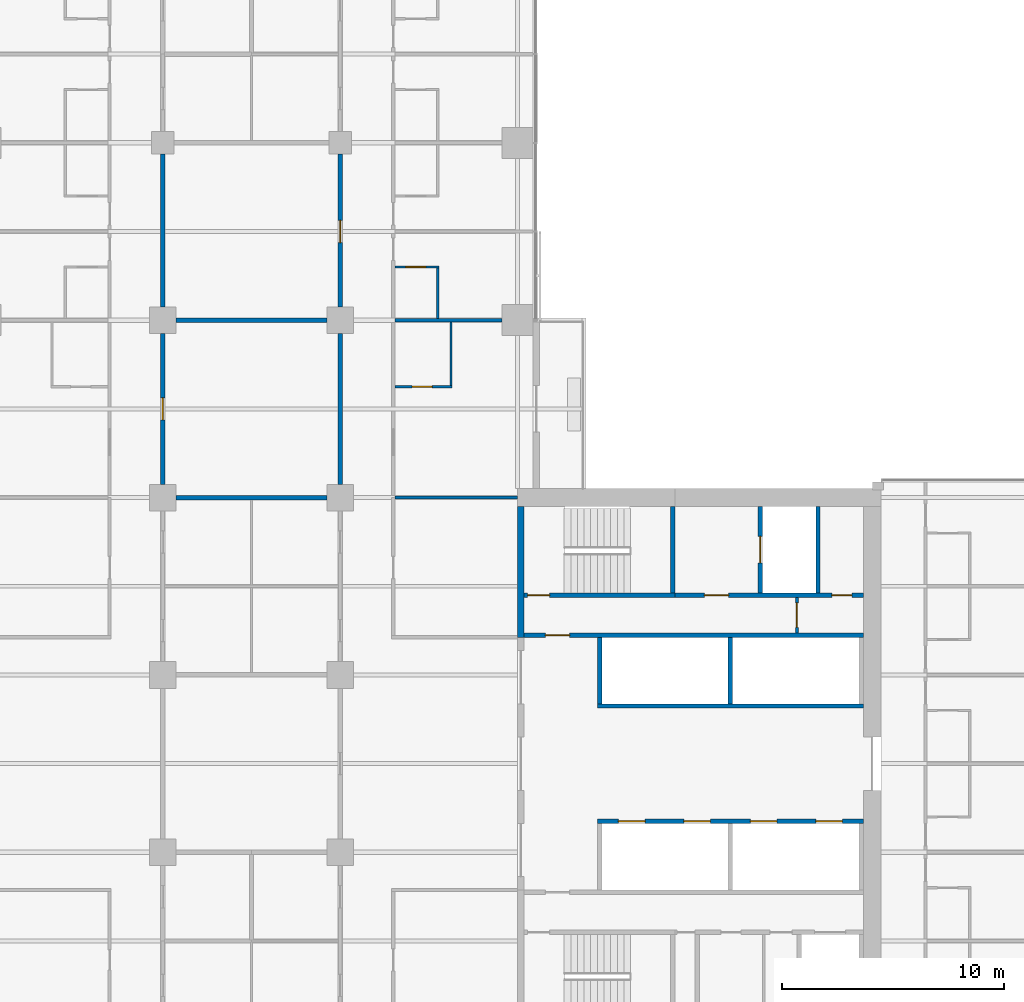
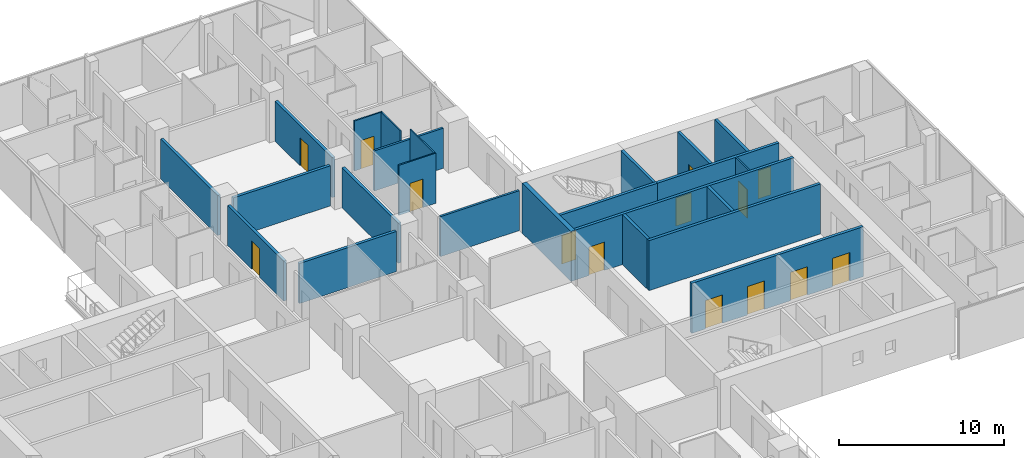
# One storey, part 21 of 29: 24 walls, 14 doors, 14 openings.
"""IFC4 building model written with IfcOpenShell, lengths in metres."""

from ifc_helpers import new_model, si_unit, direction, frame, frame_2d, origin, place, context, subcontext, project, spatial, rectangle, extrude, material, layer, layer_set, type_object, element, fill, save


model = new_model("IFC4")

# Units and contexts
model_context = context("Model", 3, precision=1e-05, world=origin(), true_north=direction((0.0, 1.0)))
body_context = subcontext(model_context, "Body", "Model", "MODEL_VIEW")
ifc_project = project(units=[si_unit("LENGTHUNIT", "METRE"), si_unit("AREAUNIT", "SQUARE_METRE"), si_unit("VOLUMEUNIT", "CUBIC_METRE"), si_unit("PLANEANGLEUNIT", "RADIAN"), si_unit("MASSUNIT", "GRAM", prefix="KILO")], contexts=[model_context])

# Site, building, storey
site_placement = place(None, origin())
site = spatial("IfcSite", under=ifc_project, at=site_placement, CompositionType="ELEMENT")
building_placement = place(site_placement, origin())
building = spatial("IfcBuilding", under=site, at=building_placement, Name="Crosswind Convention Tower", CompositionType="ELEMENT")
storey_placement = place(building_placement, frame((0.0, 0.0, 57.199951171875)))
storey = spatial("IfcBuildingStorey", under=building, at=storey_placement, Name="L08", CompositionType="ELEMENT", Elevation=57.199951171875)

# Walls
ifc_material_1 = material(Name="Concrete C50/60", Category="concrete")
ifc_layer_1 = layer(ifc_material_1, 0.300048828125)
ifc_layer_set_1 = layer_set([ifc_layer_1], Name="Concrete C50/60")
wall_type_1 = type_object("IfcWallType", Name="Concrete inner core wall 300", PredefinedType="SHEAR", material=ifc_layer_set_1)
wall_1_placement = place(storey_placement, frame((137.14990234375, 105.699951171875, 0.0), z_axis=(0.0, 0.0, 1.0), x_axis=(0.0, 1.0, 0.0)))
element("IfcWall", 1, at=wall_1_placement, inside=storey, type_object=wall_type_1, Name="Wall EP E L08", PredefinedType="SHEAR", context=body_context, shape_type="SweptSolid", body=[
    extrude(rectangle(XDim=5.900146484375, YDim=0.300048828125, at=frame_2d((2.9501953125, 0.0))), origin(), (0.0, 0.0, 1.0), 3.699951171875),
])
ifc_layer_2 = layer(ifc_material_1, 0.199951171875)
ifc_layer_set_2 = layer_set([ifc_layer_2], Name="Concrete C50/60")
wall_type_2 = type_object("IfcWallType", Name="Concrete shaft and stair wall 200", PredefinedType="SHEAR", material=ifc_layer_set_2)
for number, where, z_axis, x_axis, name in (
    (2, (140.699951171875, 102.699951171875, 0.0), (0.0, 0.0, 1.0), (0.0, 1.0, 0.0), "Wall RPEND E L08"),
    (3, (146.60009765625, 102.699951171875, 0.0), (0.0, 0.0, 1.0), (0.0, 1.0, 0.0), "Wall RPSEP E L08"),
):
    element("IfcWall", number, at=place(storey_placement, frame(where, z_axis=z_axis, x_axis=x_axis)), inside=storey, type_object=wall_type_2, Name=name, PredefinedType="SHEAR", context=body_context, shape_type="SweptSolid", body=[
        extrude(rectangle(XDim=3.0, YDim=0.199951171875, at=frame_2d((1.5, 0.0))), origin(), (0.0, 0.0, 1.0), 3.699951171875),
    ])
wall_2_placement = place(storey_placement, frame((140.60009765625, 102.60009765625, 0.0), z_axis=(0.0, 0.0, 1.0), x_axis=(1.0, 0.0, 0.0)))
element("IfcWall", 4, at=wall_2_placement, inside=storey, type_object=wall_type_2, Name="Wall RPFRONT E L08", PredefinedType="SHEAR", context=body_context, shape_type="SweptSolid", body=[
    extrude(rectangle(XDim=12.0, YDim=0.199951171875, at=frame_2d((6.0, 0.0))), origin(), (0.0, 0.0, 1.0), 3.699951171875),
])

# Wall, openings, doors
wall_3_placement = place(storey_placement, frame((140.60009765625, 97.39990234375, 0.0), z_axis=(0.0, 0.0, 1.0), x_axis=(1.0, 0.0, 0.0)))
wall_3 = element("IfcWall", 5, at=wall_3_placement, inside=storey, type_object=wall_type_2, Name="Wall RMFRONT E L08", PredefinedType="SHEAR", context=body_context, shape_type="SweptSolid", body=[
    extrude(rectangle(XDim=12.0, YDim=0.199951171875, at=frame_2d((6.0, 0.0))), origin(), (0.0, 0.0, 1.0), 3.699951171875),
])
opening_1_placement = place(wall_3_placement, frame((0.949951171875, 0.0, 0.0)))
opening_1 = element("IfcOpeningElement", 6, at=opening_1_placement, cuts=wall_3, Name="Opening LD1", PredefinedType="OPENING", context=body_context, shape_type="SweptSolid", body=[
    extrude(rectangle(XDim=1.199951171875, YDim=2.10009765625, at=frame_2d((0.60009765625, 1.050048828125))), frame((0.0, 0.10986328125, 0.0), z_axis=(0.0, -1.0, 0.0), x_axis=(1.0, 0.0, 0.0)), (0.0, 0.0, 1.0), 0.219970703125),
])
opening_2_placement = place(wall_3_placement, frame((3.89990234375, 0.0, 0.0)))
opening_2 = element("IfcOpeningElement", 7, at=opening_2_placement, cuts=wall_3, Name="Opening LD1", PredefinedType="OPENING", context=body_context, shape_type="SweptSolid", body=[
    extrude(rectangle(XDim=1.199951171875, YDim=2.10009765625, at=frame_2d((0.60009765625, 1.050048828125))), frame((0.0, 0.10986328125, 0.0), z_axis=(0.0, -1.0, 0.0), x_axis=(1.0, 0.0, 0.0)), (0.0, 0.0, 1.0), 0.219970703125),
])
opening_3_placement = place(wall_3_placement, frame((6.89990234375, 0.0, 0.0)))
opening_3 = element("IfcOpeningElement", 8, at=opening_3_placement, cuts=wall_3, Name="Opening LD1", PredefinedType="OPENING", context=body_context, shape_type="SweptSolid", body=[
    extrude(rectangle(XDim=1.199951171875, YDim=2.10009765625, at=frame_2d((0.60009765625, 1.050048828125))), frame((0.0, 0.10986328125, 0.0), z_axis=(0.0, -1.0, 0.0), x_axis=(1.0, 0.0, 0.0)), (0.0, 0.0, 1.0), 0.219970703125),
])
opening_4_placement = place(wall_3_placement, frame((9.85009765625, 0.0, 0.0)))
opening_4 = element("IfcOpeningElement", 9, at=opening_4_placement, cuts=wall_3, Name="Opening LD1", PredefinedType="OPENING", context=body_context, shape_type="SweptSolid", body=[
    extrude(rectangle(XDim=1.199951171875, YDim=2.10009765625, at=frame_2d((0.60009765625, 1.050048828125))), frame((0.0, 0.10986328125, 0.0), z_axis=(0.0, -1.0, 0.0), x_axis=(1.0, 0.0, 0.0)), (0.0, 0.0, 1.0), 0.219970703125),
])
ifc_material_2 = material(Name="Stainless steel", Category="steel")
door_type_1 = type_object("IfcDoorType", Name="Lift landing door 1200x2100", OperationType="DOUBLE_DOOR_SLIDING", PredefinedType="DOOR", material=ifc_material_2)
door_1_placement = place(opening_1_placement, origin())
door_1 = element("IfcDoor", 10, at=door_1_placement, inside=storey, type_object=door_type_1, Name="Landing door H1 L08", ObjectType="LD1", OperationType="DOUBLE_DOOR_SLIDING", OverallHeight=2.10009765625, OverallWidth=1.199951171875, PredefinedType="DOOR", context=body_context, shape_type="SweptSolid", body=[
    extrude(rectangle(XDim=1.199951171875, YDim=2.10009765625, at=frame_2d((0.60009765625, 1.050048828125))), frame((0.0, 0.02490234375, 0.0), z_axis=(0.0, -1.0, 0.0), x_axis=(1.0, 0.0, 0.0)), (0.0, 0.0, 1.0), 0.050048828125),
])
fill(opening_1, door_1)
door_2_placement = place(opening_2_placement, origin())
door_2 = element("IfcDoor", 11, at=door_2_placement, inside=storey, type_object=door_type_1, Name="Landing door H2 L08", ObjectType="LD1", OperationType="DOUBLE_DOOR_SLIDING", OverallHeight=2.10009765625, OverallWidth=1.199951171875, PredefinedType="DOOR", context=body_context, shape_type="SweptSolid", body=[
    extrude(rectangle(XDim=1.199951171875, YDim=2.10009765625, at=frame_2d((0.60009765625, 1.050048828125))), frame((0.0, 0.02490234375, 0.0), z_axis=(0.0, -1.0, 0.0), x_axis=(1.0, 0.0, 0.0)), (0.0, 0.0, 1.0), 0.050048828125),
])
fill(opening_2, door_2)
door_3_placement = place(opening_3_placement, origin())
door_3 = element("IfcDoor", 12, at=door_3_placement, inside=storey, type_object=door_type_1, Name="Landing door H3 L08", ObjectType="LD1", OperationType="DOUBLE_DOOR_SLIDING", OverallHeight=2.10009765625, OverallWidth=1.199951171875, PredefinedType="DOOR", context=body_context, shape_type="SweptSolid", body=[
    extrude(rectangle(XDim=1.199951171875, YDim=2.10009765625, at=frame_2d((0.60009765625, 1.050048828125))), frame((0.0, 0.02490234375, 0.0), z_axis=(0.0, -1.0, 0.0), x_axis=(1.0, 0.0, 0.0)), (0.0, 0.0, 1.0), 0.050048828125),
])
fill(opening_3, door_3)
door_4_placement = place(opening_4_placement, origin())
door_4 = element("IfcDoor", 13, at=door_4_placement, inside=storey, type_object=door_type_1, Name="Landing door H4 L08", ObjectType="LD1", OperationType="DOUBLE_DOOR_SLIDING", OverallHeight=2.10009765625, OverallWidth=1.199951171875, PredefinedType="DOOR", context=body_context, shape_type="SweptSolid", body=[
    extrude(rectangle(XDim=1.199951171875, YDim=2.10009765625, at=frame_2d((0.60009765625, 1.050048828125))), frame((0.0, 0.02490234375, 0.0), z_axis=(0.0, -1.0, 0.0), x_axis=(1.0, 0.0, 0.0)), (0.0, 0.0, 1.0), 0.050048828125),
])
fill(opening_4, door_4)

# Wall, opening, door
wall_4_placement = place(storey_placement, frame((137.300048828125, 105.800048828125, 0.0), z_axis=(0.0, 0.0, 1.0), x_axis=(1.0, 0.0, 0.0)))
wall_4 = element("IfcWall", 14, at=wall_4_placement, inside=storey, type_object=wall_type_2, Name="Wall HP E L08", PredefinedType="SHEAR", context=body_context, shape_type="SweptSolid", body=[
    extrude(rectangle(XDim=15.300048828125, YDim=0.199951171875, at=frame_2d((7.64990234375, 0.0))), origin(), (0.0, 0.0, 1.0), 3.699951171875),
])
opening_5_placement = place(wall_4_placement, frame((0.949951171875, 0.0, 0.0)))
opening_5 = element("IfcOpeningElement", 15, at=opening_5_placement, cuts=wall_4, Name="Opening D104", PredefinedType="OPENING", context=body_context, shape_type="SweptSolid", body=[
    extrude(rectangle(XDim=1.10009765625, YDim=2.10009765625, at=frame_2d((0.550048828125, 1.050048828125))), frame((0.0, 0.10986328125, 0.0), z_axis=(0.0, -1.0, 0.0), x_axis=(1.0, 0.0, 0.0)), (0.0, 0.0, 1.0), 0.219970703125),
])
ifc_material_3 = material(Name="Steel fire door", Category="steel")
door_type_2 = type_object("IfcDoorType", Name="Fire-rated single door 1100x2100", OperationType="NOTDEFINED", PredefinedType="DOOR", material=ifc_material_3)
door_5_placement = place(opening_5_placement, origin())
door_5 = element("IfcDoor", 16, at=door_5_placement, inside=storey, type_object=door_type_2, Name="Corridor door L08", ObjectType="D104", OperationType="SINGLE_SWING_LEFT", OverallHeight=2.10009765625, OverallWidth=1.10009765625, PredefinedType="DOOR", context=body_context, shape_type="SweptSolid", body=[
    extrude(rectangle(XDim=1.10009765625, YDim=2.10009765625, at=frame_2d((0.550048828125, 1.050048828125))), frame((0.0, 0.02490234375, 0.0), z_axis=(0.0, -1.0, 0.0), x_axis=(1.0, 0.0, 0.0)), (0.0, 0.0, 1.0), 0.050048828125),
])
fill(opening_5, door_5)

# Wall
wall_5_placement = place(storey_placement, frame((144.0, 107.699951171875, 0.0), z_axis=(0.0, 0.0, 1.0), x_axis=(0.0, 1.0, 0.0)))
element("IfcWall", 17, at=wall_5_placement, inside=storey, type_object=wall_type_2, Name="Wall PSE E L08", PredefinedType="SHEAR", context=body_context, shape_type="SweptSolid", body=[
    extrude(rectangle(XDim=3.900146484375, YDim=0.199951171875, at=frame_2d((1.9501953125, 0.0))), origin(), (0.0, 0.0, 1.0), 3.699951171875),
])

# Wall, opening, door
wall_6_placement = place(storey_placement, frame((147.949951171875, 107.699951171875, 0.0), z_axis=(0.0, 0.0, 1.0), x_axis=(0.0, 1.0, 0.0)))
wall_6 = element("IfcWall", 18, at=wall_6_placement, inside=storey, type_object=wall_type_2, Name="Wall PFLW E L08", PredefinedType="SHEAR", context=body_context, shape_type="SweptSolid", body=[
    extrude(rectangle(XDim=3.900146484375, YDim=0.199951171875, at=frame_2d((1.9501953125, 0.0))), origin(), (0.0, 0.0, 1.0), 3.699951171875),
])
opening_6_placement = place(wall_6_placement, frame((1.35009765625, 0.0, 0.0)))
opening_6 = element("IfcOpeningElement", 19, at=opening_6_placement, cuts=wall_6, Name="Opening LD1", PredefinedType="OPENING", context=body_context, shape_type="SweptSolid", body=[
    extrude(rectangle(XDim=1.199951171875, YDim=2.10009765625, at=frame_2d((0.60009765625, 1.050048828125))), frame((0.0, 0.10986328125, 0.0), z_axis=(0.0, -1.0, 0.0), x_axis=(1.0, 0.0, 0.0)), (0.0, 0.0, 1.0), 0.219970703125),
])
door_6_placement = place(opening_6_placement, origin())
door_6 = element("IfcDoor", 20, at=door_6_placement, inside=storey, type_object=door_type_1, Name="Landing door FF1 L08", ObjectType="LD1", OperationType="DOUBLE_DOOR_SLIDING", OverallHeight=2.10009765625, OverallWidth=1.199951171875, PredefinedType="DOOR", context=body_context, shape_type="SweptSolid", body=[
    extrude(rectangle(XDim=1.199951171875, YDim=2.10009765625, at=frame_2d((0.60009765625, 1.050048828125))), frame((0.0, 0.02490234375, 0.0), z_axis=(0.0, -1.0, 0.0), x_axis=(1.0, 0.0, 0.0)), (0.0, 0.0, 1.0), 0.050048828125),
])
fill(opening_6, door_6)

# Wall
wall_7_placement = place(storey_placement, frame((150.550048828125, 107.699951171875, 0.0), z_axis=(0.0, 0.0, 1.0), x_axis=(0.0, 1.0, 0.0)))
element("IfcWall", 21, at=wall_7_placement, inside=storey, type_object=wall_type_2, Name="Wall PFSE E L08", PredefinedType="SHEAR", context=body_context, shape_type="SweptSolid", body=[
    extrude(rectangle(XDim=3.900146484375, YDim=0.199951171875, at=frame_2d((1.9501953125, 0.0))), origin(), (0.0, 0.0, 1.0), 3.699951171875),
])

# Wall, opening, door
wall_8_placement = place(storey_placement, frame((137.300048828125, 107.60009765625, 0.0), z_axis=(0.0, 0.0, 1.0), x_axis=(1.0, 0.0, 0.0)))
wall_8 = element("IfcWall", 22, at=wall_8_placement, inside=storey, type_object=wall_type_2, Name="Wall PCW E L08", PredefinedType="SHEAR", context=body_context, shape_type="SweptSolid", body=[
    extrude(rectangle(XDim=6.800048828125, YDim=0.199951171875, at=frame_2d((3.39990234375, 0.0))), origin(), (0.0, 0.0, 1.0), 3.699951171875),
])
opening_7_placement = place(wall_8_placement, frame((0.14990234375, 0.0, 0.0)))
opening_7 = element("IfcOpeningElement", 23, at=opening_7_placement, cuts=wall_8, Name="Opening D103", PredefinedType="OPENING", context=body_context, shape_type="SweptSolid", body=[
    extrude(rectangle(XDim=1.0, YDim=2.10009765625, at=frame_2d((0.5, 1.050048828125))), frame((0.0, 0.10986328125, 0.0), z_axis=(0.0, -1.0, 0.0), x_axis=(1.0, 0.0, 0.0)), (0.0, 0.0, 1.0), 0.219970703125),
])
door_type_3 = type_object("IfcDoorType", Name="Fire-rated single door 1000x2100", OperationType="NOTDEFINED", PredefinedType="DOOR", material=ifc_material_3)
door_7_placement = place(opening_7_placement, origin())
door_7 = element("IfcDoor", 24, at=door_7_placement, inside=storey, type_object=door_type_3, Name="Stair ST1 door L08", ObjectType="D103", OperationType="SINGLE_SWING_LEFT", OverallHeight=2.10009765625, OverallWidth=1.0, PredefinedType="DOOR", context=body_context, shape_type="SweptSolid", body=[
    extrude(rectangle(XDim=1.0, YDim=2.10009765625, at=frame_2d((0.5, 1.050048828125))), frame((0.0, 0.02490234375, 0.0), z_axis=(0.0, -1.0, 0.0), x_axis=(1.0, 0.0, 0.0)), (0.0, 0.0, 1.0), 0.050048828125),
])
fill(opening_7, door_7)

# Wall, openings, doors
wall_9_placement = place(storey_placement, frame((144.10009765625, 107.60009765625, 0.0), z_axis=(0.0, 0.0, 1.0), x_axis=(1.0, 0.0, 0.0)))
wall_9 = element("IfcWall", 25, at=wall_9_placement, inside=storey, type_object=wall_type_2, Name="Wall PCX E L08", PredefinedType="SHEAR", context=body_context, shape_type="SweptSolid", body=[
    extrude(rectangle(XDim=8.5, YDim=0.199951171875, at=frame_2d((4.25, 0.0))), origin(), (0.0, 0.0, 1.0), 3.699951171875),
])
opening_8_placement = place(wall_9_placement, frame((1.324951171875, 0.0, 0.0)))
opening_8 = element("IfcOpeningElement", 26, at=opening_8_placement, cuts=wall_9, Name="Opening D104", PredefinedType="OPENING", context=body_context, shape_type="SweptSolid", body=[
    extrude(rectangle(XDim=1.10009765625, YDim=2.10009765625, at=frame_2d((0.550048828125, 1.050048828125))), frame((0.0, 0.10986328125, 0.0), z_axis=(0.0, -1.0, 0.0), x_axis=(1.0, 0.0, 0.0)), (0.0, 0.0, 1.0), 0.219970703125),
])
opening_9_placement = place(wall_9_placement, frame((7.074951171875, 0.0, 0.0)))
opening_9 = element("IfcOpeningElement", 27, at=opening_9_placement, cuts=wall_9, Name="Opening D106", PredefinedType="OPENING", context=body_context, shape_type="SweptSolid", body=[
    extrude(rectangle(XDim=0.89990234375, YDim=2.10009765625, at=frame_2d((0.449951171875, 1.050048828125))), frame((0.0, 0.10986328125, 0.0), z_axis=(0.0, -1.0, 0.0), x_axis=(1.0, 0.0, 0.0)), (0.0, 0.0, 1.0), 0.219970703125),
])
door_8_placement = place(opening_8_placement, origin())
door_8 = element("IfcDoor", 28, at=door_8_placement, inside=storey, type_object=door_type_2, Name="Fire-fighting lobby FF1 door L08", ObjectType="D104", OperationType="SINGLE_SWING_RIGHT", OverallHeight=2.10009765625, OverallWidth=1.10009765625, PredefinedType="DOOR", context=body_context, shape_type="SweptSolid", body=[
    extrude(rectangle(XDim=1.10009765625, YDim=2.10009765625, at=frame_2d((0.550048828125, 1.050048828125))), frame((0.0, 0.02490234375, 0.0), z_axis=(0.0, -1.0, 0.0), x_axis=(1.0, 0.0, 0.0)), (0.0, 0.0, 1.0), 0.050048828125),
])
fill(opening_8, door_8)
ifc_material_4 = material(Name="Timber door", Category="wood")
door_type_4 = type_object("IfcDoorType", Name="Single leaf door 900x2100", OperationType="NOTDEFINED", PredefinedType="DOOR", material=ifc_material_4)
door_9_placement = place(opening_9_placement, origin())
door_9 = element("IfcDoor", 29, at=door_9_placement, inside=storey, type_object=door_type_4, Name="Door to telecoms room L08", ObjectType="D106", OperationType="SINGLE_SWING_RIGHT", OverallHeight=2.10009765625, OverallWidth=0.89990234375, PredefinedType="DOOR", context=body_context, shape_type="SweptSolid", body=[
    extrude(rectangle(XDim=0.89990234375, YDim=2.10009765625, at=frame_2d((0.449951171875, 1.050048828125))), frame((0.0, 0.02490234375, 0.0), z_axis=(0.0, -1.0, 0.0), x_axis=(1.0, 0.0, 0.0)), (0.0, 0.0, 1.0), 0.050048828125),
])
fill(opening_9, door_9)

# Wall, opening, door
ifc_material_5 = material(Name="Gypsum plasterboard partition", Category="gypsum")
ifc_layer_3 = layer(ifc_material_5, 0.125)
ifc_layer_set_3 = layer_set([ifc_layer_3], Name="Drywall partition wall 125")
wall_type_3 = type_object("IfcWallType", Name="Drywall partition wall 125", PredefinedType="PARTITIONING", material=ifc_layer_set_3)
wall_10_placement = place(storey_placement, frame((149.60009765625, 105.89990234375, 0.0), z_axis=(0.0, 0.0, 1.0), x_axis=(0.0, 1.0, 0.0)))
wall_10 = element("IfcWall", 30, at=wall_10_placement, inside=storey, type_object=wall_type_3, Name="Wall PXC1 E L08", PredefinedType="PARTITIONING", context=body_context, shape_type="SweptSolid", body=[
    extrude(rectangle(XDim=1.60009765625, YDim=0.125, at=frame_2d((0.800048828125, 0.0))), origin(), (0.0, 0.0, 1.0), 3.699951171875),
])
opening_10_placement = place(wall_10_placement, frame((0.25, 0.0, 0.0)))
opening_10 = element("IfcOpeningElement", 31, at=opening_10_placement, cuts=wall_10, Name="Opening D104", PredefinedType="OPENING", context=body_context, shape_type="SweptSolid", body=[
    extrude(rectangle(XDim=1.10009765625, YDim=2.10009765625, at=frame_2d((0.550048828125, 1.050048828125))), frame((0.0, 0.072509765625, 0.0), z_axis=(0.0, -1.0, 0.0), x_axis=(1.0, 0.0, 0.0)), (0.0, 0.0, 1.0), 0.14501953125),
])
door_10_placement = place(opening_10_placement, origin())
door_10 = element("IfcDoor", 32, at=door_10_placement, inside=storey, type_object=door_type_2, Name="Corridor smoke door L08", ObjectType="D104", OperationType="SINGLE_SWING_RIGHT", OverallHeight=2.10009765625, OverallWidth=1.10009765625, PredefinedType="DOOR", context=body_context, shape_type="SweptSolid", body=[
    extrude(rectangle(XDim=1.10009765625, YDim=2.10009765625, at=frame_2d((0.550048828125, 1.050048828125))), frame((0.0, 0.02490234375, 0.0), z_axis=(0.0, -1.0, 0.0), x_axis=(1.0, 0.0, 0.0)), (0.0, 0.0, 1.0), 0.050048828125),
])
fill(opening_10, door_10)

# Walls
ifc_material_6 = material(Name="Acoustic plasterboard partition", Category="gypsum")
ifc_layer_4 = layer(ifc_material_6, 0.14990234375)
ifc_layer_set_4 = layer_set([ifc_layer_4], Name="GUEST ROOM WALL 150")
wall_type_4 = type_object("IfcWallType", Name="GUEST ROOM WALL 150", PredefinedType="PARTITIONING", material=ifc_layer_set_4)
wall_11_placement = place(storey_placement, frame((131.47509765625, 112.0, 0.0), z_axis=(0.0, 0.0, 1.0), x_axis=(1.0, 0.0, 0.0)))
element("IfcWall", 33, at=wall_11_placement, inside=storey, type_object=wall_type_4, Name="Guest Room Wall 63", PredefinedType="PARTITIONING", context=body_context, shape_type="SweptSolid", body=[
    extrude(rectangle(XDim=5.52490234375, YDim=0.14990234375, at=frame_2d((2.762451171875, 0.0))), origin(), (0.0, 0.0, 1.0), 2.95654296875),
])
wall_12_placement = place(storey_placement, frame((131.47509765625, 120.0, 0.0), z_axis=(0.0, 0.0, 1.0), x_axis=(1.0, 0.0, 0.0)))
element("IfcWall", 34, at=wall_12_placement, inside=storey, type_object=wall_type_4, Name="Guest Room Wall 68", PredefinedType="PARTITIONING", context=body_context, shape_type="SweptSolid", body=[
    extrude(rectangle(XDim=4.824951171875, YDim=0.14990234375, at=frame_2d((2.41259765625, 0.0))), origin(), (0.0, 0.0, 1.0), 2.9599609375),
])
ifc_material_7 = material(Name="Double plasterboard partition", Category="gypsum")
ifc_layer_5 = layer(ifc_material_7, 0.199951171875)
ifc_layer_set_5 = layer_set([ifc_layer_5], Name="HALL WALL 200")
wall_type_5 = type_object("IfcWallType", Name="HALL WALL 200", PredefinedType="PARTITIONING", material=ifc_layer_set_5)
for number, where, z_axis, x_axis, name in (
    (35, (121.60009765625, 112.0, 0.0), (0.0, 0.0, 1.0), (1.0, 0.0, 0.0), "Hall Wall 62"),
    (36, (121.60009765625, 120.0, 0.0), (0.0, 0.0, 1.0), (1.0, 0.0, 0.0), "Hall Wall 67"),
):
    element("IfcWall", number, at=place(storey_placement, frame(where, z_axis=z_axis, x_axis=x_axis)), inside=storey, type_object=wall_type_5, Name=name, PredefinedType="PARTITIONING", context=body_context, shape_type="SweptSolid", body=[
        extrude(rectangle(XDim=6.7998046875, YDim=0.199951171875, at=frame_2d((3.39990234375, 0.0))), origin(), (0.0, 0.0, 1.0), 2.9599609375),
    ])

# Wall, opening, door
wall_13_placement = place(storey_placement, frame((121.0, 112.60009765625, 0.0), z_axis=(0.0, 0.0, 1.0), x_axis=(0.0, 1.0, 0.0)))
wall_13 = element("IfcWall", 37, at=wall_13_placement, inside=storey, type_object=wall_type_5, Name="Hall Wall 115", PredefinedType="PARTITIONING", context=body_context, shape_type="SweptSolid", body=[
    extrude(rectangle(XDim=6.7998046875, YDim=0.199951171875, at=frame_2d((3.39990234375, 0.0))), origin(), (0.0, 0.0, 1.0), 2.9599609375),
])
opening_11_placement = place(wall_13_placement, frame((2.89990234375, 0.0, 0.0)))
opening_11 = element("IfcOpeningElement", 38, at=opening_11_placement, cuts=wall_13, Name="Opening 08.084", PredefinedType="OPENING", context=body_context, shape_type="SweptSolid", body=[
    extrude(rectangle(XDim=1.0, YDim=2.10009765625, at=frame_2d((0.5, 1.050048828125))), frame((0.0, 0.10986328125, 0.0), z_axis=(0.0, -1.0, 0.0), x_axis=(1.0, 0.0, 0.0)), (0.0, 0.0, 1.0), 0.219970703125),
])
ifc_material_8 = material(Name="Timber fire door", Category="wood")
door_type_5 = type_object("IfcDoorType", Name="MEETING ROOM DOOR 1000X2100", OperationType="NOTDEFINED", PredefinedType="DOOR", material=ifc_material_8)
door_11_placement = place(opening_11_placement, origin())
door_11 = element("IfcDoor", 39, at=door_11_placement, inside=storey, type_object=door_type_5, Name="Door 08.084", ObjectType="D13", OperationType="SINGLE_SWING_RIGHT", OverallHeight=2.10009765625, OverallWidth=1.0, PredefinedType="DOOR", context=body_context, shape_type="SweptSolid", body=[
    extrude(rectangle(XDim=1.0, YDim=2.10009765625, at=frame_2d((0.5, 1.050048828125))), frame((0.0, 0.02490234375, 0.0), z_axis=(0.0, -1.0, 0.0), x_axis=(1.0, 0.0, 0.0)), (0.0, 0.0, 1.0), 0.050048828125),
])
fill(opening_11, door_11)

# Walls
wall_14_placement = place(storey_placement, frame((121.0, 120.60009765625, 0.0), z_axis=(0.0, 0.0, 1.0), x_axis=(0.0, 1.0, 0.0)))
element("IfcWall", 40, at=wall_14_placement, inside=storey, type_object=wall_type_5, Name="Hall Wall 116", PredefinedType="PARTITIONING", context=body_context, shape_type="SweptSolid", body=[
    extrude(rectangle(XDim=6.89990234375, YDim=0.199951171875, at=frame_2d((3.449951171875, 0.0))), origin(), (0.0, 0.0, 1.0), 2.9599609375),
])
wall_15_placement = place(storey_placement, frame((129.0, 112.60009765625, 0.0), z_axis=(0.0, 0.0, 1.0), x_axis=(0.0, 1.0, 0.0)))
element("IfcWall", 41, at=wall_15_placement, inside=storey, type_object=wall_type_5, Name="Hall Wall 135", PredefinedType="PARTITIONING", context=body_context, shape_type="SweptSolid", body=[
    extrude(rectangle(XDim=6.7998046875, YDim=0.199951171875, at=frame_2d((3.39990234375, 0.0))), origin(), (0.0, 0.0, 1.0), 2.9599609375),
])

# Wall, opening, door
wall_16_placement = place(storey_placement, frame((129.0, 120.60009765625, 0.0), z_axis=(0.0, 0.0, 1.0), x_axis=(0.0, 1.0, 0.0)))
wall_16 = element("IfcWall", 42, at=wall_16_placement, inside=storey, type_object=wall_type_5, Name="Hall Wall 136", PredefinedType="PARTITIONING", context=body_context, shape_type="SweptSolid", body=[
    extrude(rectangle(XDim=6.89990234375, YDim=0.199951171875, at=frame_2d((3.449951171875, 0.0))), origin(), (0.0, 0.0, 1.0), 2.9599609375),
])
opening_12_placement = place(wall_16_placement, frame((2.89990234375, 0.0, 0.0)))
opening_12 = element("IfcOpeningElement", 43, at=opening_12_placement, cuts=wall_16, Name="Opening 08.085", PredefinedType="OPENING", context=body_context, shape_type="SweptSolid", body=[
    extrude(rectangle(XDim=1.0, YDim=2.10009765625, at=frame_2d((0.5, 1.050048828125))), frame((0.0, 0.10986328125, 0.0), z_axis=(0.0, -1.0, 0.0), x_axis=(1.0, 0.0, 0.0)), (0.0, 0.0, 1.0), 0.219970703125),
])
door_12_placement = place(opening_12_placement, frame((1.0, 0.0, 0.0), z_axis=(0.0, 0.0, 1.0), x_axis=(-1.0, 0.0, 0.0)))
door_12 = element("IfcDoor", 44, at=door_12_placement, inside=storey, type_object=door_type_5, Name="Door 08.085", ObjectType="D13", OperationType="SINGLE_SWING_RIGHT", OverallHeight=2.10009765625, OverallWidth=1.0, PredefinedType="DOOR", context=body_context, shape_type="SweptSolid", body=[
    extrude(rectangle(XDim=1.0, YDim=2.10009765625, at=frame_2d((0.5, 1.050048828125))), frame((0.0, 0.02490234375, 0.0), z_axis=(0.0, -1.0, 0.0), x_axis=(1.0, 0.0, 0.0)), (0.0, 0.0, 1.0), 0.050048828125),
])
fill(opening_12, door_12)

ifc_material_9 = material(Name="Water-resistant plasterboard partition", Category="gypsum")
ifc_layer_6 = layer(ifc_material_9, 0.10009765625)
ifc_layer_set_6 = layer_set([ifc_layer_6], Name="WET ROOM PARTITION 100")
wall_type_6 = type_object("IfcWallType", Name="WET ROOM PARTITION 100", PredefinedType="PLUMBINGWALL", material=ifc_layer_set_6)
wall_17_placement = place(storey_placement, frame((131.47509765625, 117.0, 0.0), z_axis=(0.0, 0.0, 1.0), x_axis=(1.0, 0.0, 0.0)))
wall_17 = element("IfcWall", 45, at=wall_17_placement, inside=storey, type_object=wall_type_6, Name="Wet Room Partition 65", PredefinedType="PLUMBINGWALL", context=body_context, shape_type="SweptSolid", body=[
    extrude(rectangle(XDim=2.574951171875, YDim=0.10009765625, at=frame_2d((1.28759765625, 0.0))), origin(), (0.0, 0.0, 1.0), 3.699951171875),
])
opening_13_placement = place(wall_17_placement, frame((0.77490234375, 0.0, 0.0)))
opening_13 = element("IfcOpeningElement", 46, at=opening_13_placement, cuts=wall_17, Name="Opening 08.006", PredefinedType="OPENING", context=body_context, shape_type="SweptSolid", body=[
    extrude(rectangle(XDim=0.89990234375, YDim=2.10009765625, at=frame_2d((0.449951171875, 1.050048828125))), frame((0.0, 0.06005859375, 0.0), z_axis=(0.0, -1.0, 0.0), x_axis=(1.0, 0.0, 0.0)), (0.0, 0.0, 1.0), 0.1201171875),
])
door_type_6 = type_object("IfcDoorType", Name="EN-SUITE DOOR 900X2100", OperationType="NOTDEFINED", PredefinedType="DOOR", material=ifc_material_4)
door_13_placement = place(opening_13_placement, origin())
door_13 = element("IfcDoor", 47, at=door_13_placement, inside=storey, type_object=door_type_6, Name="Door 08.006", ObjectType="D2", OperationType="SINGLE_SWING_RIGHT", OverallHeight=2.10009765625, OverallWidth=0.89990234375, PredefinedType="DOOR", context=body_context, shape_type="SweptSolid", body=[
    extrude(rectangle(XDim=0.89990234375, YDim=2.10009765625, at=frame_2d((0.449951171875, 1.050048828125))), frame((0.0, 0.02490234375, 0.0), z_axis=(0.0, -1.0, 0.0), x_axis=(1.0, 0.0, 0.0)), (0.0, 0.0, 1.0), 0.050048828125),
])
fill(opening_13, door_13)

wall_18_placement = place(storey_placement, frame((131.47509765625, 122.39990234375, 0.0), z_axis=(0.0, 0.0, 1.0), x_axis=(1.0, 0.0, 0.0)))
wall_18 = element("IfcWall", 48, at=wall_18_placement, inside=storey, type_object=wall_type_6, Name="Wet Room Partition 70", PredefinedType="PLUMBINGWALL", context=body_context, shape_type="SweptSolid", body=[
    extrude(rectangle(XDim=1.974853515625, YDim=0.10009765625, at=frame_2d((0.9873046875, 0.0))), origin(), (0.0, 0.0, 1.0), 3.699951171875),
])
opening_14_placement = place(wall_18_placement, frame((0.47509765625, 0.0, 0.0)))
opening_14 = element("IfcOpeningElement", 49, at=opening_14_placement, cuts=wall_18, Name="Opening 08.008", PredefinedType="OPENING", context=body_context, shape_type="SweptSolid", body=[
    extrude(rectangle(XDim=0.89990234375, YDim=2.10009765625, at=frame_2d((0.449951171875, 1.050048828125))), frame((0.0, 0.06005859375, 0.0), z_axis=(0.0, -1.0, 0.0), x_axis=(1.0, 0.0, 0.0)), (0.0, 0.0, 1.0), 0.1201171875),
])
door_14_placement = place(opening_14_placement, frame((0.89990234375, 0.0, 0.0), z_axis=(0.0, 0.0, 1.0), x_axis=(-1.0, 0.0, 0.0)))
door_14 = element("IfcDoor", 50, at=door_14_placement, inside=storey, type_object=door_type_6, Name="Door 08.008", ObjectType="D2", OperationType="SINGLE_SWING_LEFT", OverallHeight=2.10009765625, OverallWidth=0.89990234375, PredefinedType="DOOR", context=body_context, shape_type="SweptSolid", body=[
    extrude(rectangle(XDim=0.89990234375, YDim=2.10009765625, at=frame_2d((0.449951171875, 1.050048828125))), frame((0.0, 0.02490234375, 0.0), z_axis=(0.0, -1.0, 0.0), x_axis=(1.0, 0.0, 0.0)), (0.0, 0.0, 1.0), 0.050048828125),
])
fill(opening_14, door_14)

# Walls
wall_19_placement = place(storey_placement, frame((133.39990234375, 120.074951171875, 0.0), z_axis=(0.0, 0.0, 1.0), x_axis=(0.0, 1.0, 0.0)))
element("IfcWall", 51, at=wall_19_placement, inside=storey, type_object=wall_type_6, Name="Wet Room Partition 147", PredefinedType="PLUMBINGWALL", context=body_context, shape_type="SweptSolid", body=[
    extrude(rectangle(XDim=2.275146484375, YDim=0.10009765625, at=frame_2d((1.1376953125, 0.0))), origin(), (0.0, 0.0, 1.0), 3.699951171875),
])
wall_20_placement = place(storey_placement, frame((134.0, 117.050048828125, 0.0), z_axis=(0.0, 0.0, 1.0), x_axis=(0.0, 1.0, 0.0)))
element("IfcWall", 52, at=wall_20_placement, inside=storey, type_object=wall_type_6, Name="Wet Room Partition 152", PredefinedType="PLUMBINGWALL", context=body_context, shape_type="SweptSolid", body=[
    extrude(rectangle(XDim=2.875, YDim=0.10009765625, at=frame_2d((1.4375, 0.0))), origin(), (0.0, 0.0, 1.0), 3.699951171875),
])

save(model, "model.ifc")
